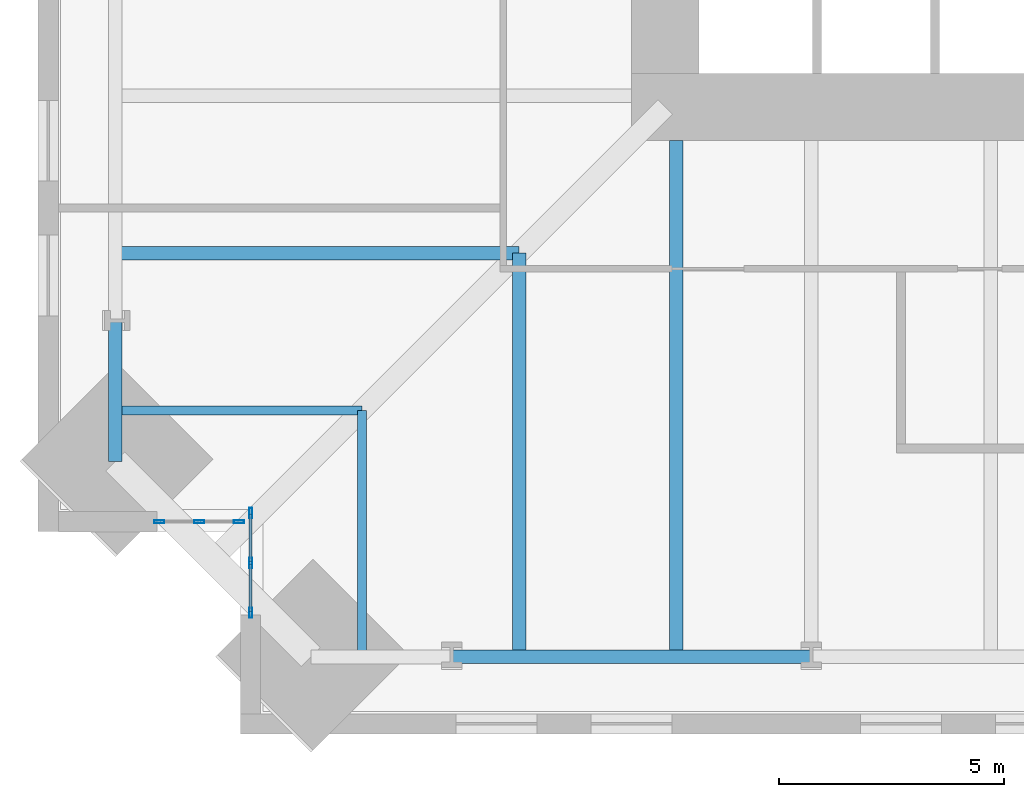
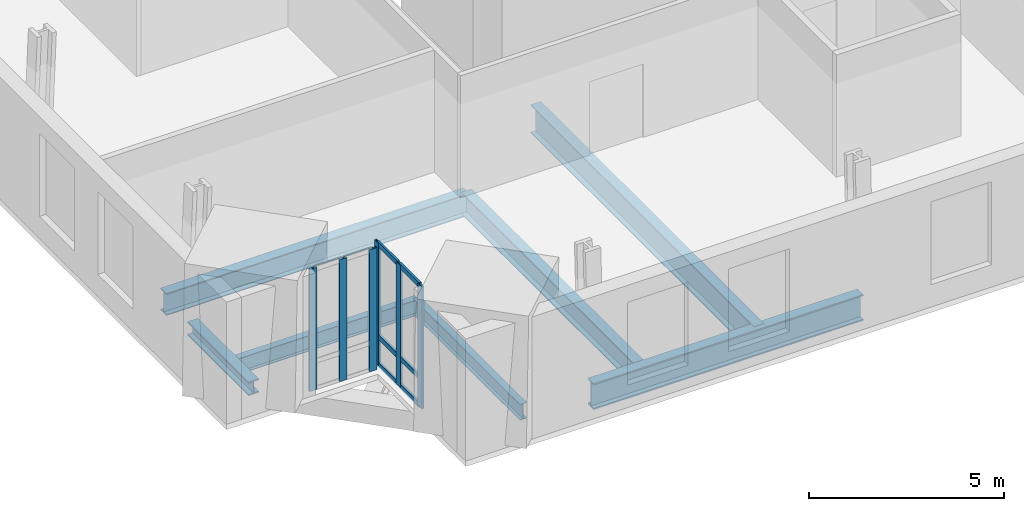
# One storey, part 2 of 15: 12 members, 7 beams, 2 elements without a shape of their own.
"""IFC4 building model written with IfcOpenShell, lengths in metres."""

from ifc_helpers import new_model, si_unit, direction, frame, origin, origin_2d, place, context, subcontext, project, spatial, hollow_rectangle, i_section, extrude, material, material_profile, profile_set, type_object, element, aggregate, save


model = new_model("IFC4")

# Units and contexts
model_context = context("Model", 3, precision=1e-05, world=origin(), true_north=direction((0.0, 1.0)))
body_context = subcontext(model_context, "Body", "Model", "MODEL_VIEW")
ifc_project = project(units=[si_unit("LENGTHUNIT", "METRE"), si_unit("AREAUNIT", "SQUARE_METRE"), si_unit("VOLUMEUNIT", "CUBIC_METRE"), si_unit("PLANEANGLEUNIT", "RADIAN"), si_unit("MASSUNIT", "GRAM", prefix="KILO")], contexts=[model_context])

# Site, building, storey
site_placement = place(None, origin())
site = spatial("IfcSite", under=ifc_project, at=site_placement, CompositionType="ELEMENT")
building_placement = place(site_placement, origin())
building = spatial("IfcBuilding", under=site, at=building_placement, Name="Peilmerk Tower", CompositionType="ELEMENT")
storey_placement = place(building_placement, frame((0.0, 0.0, 183.800048828125)))
storey = spatial("IfcBuildingStorey", under=building, at=storey_placement, Name="L39", CompositionType="ELEMENT", Elevation=183.800048828125)

# Beams
ifc_material_1 = material(Name="Steel S355", Category="steel")
ifc_material_profile_1 = material_profile(ifc_material_1, i_section(OverallWidth=0.302978515625, OverallDepth=0.81396484375, WebThickness=0.02099609375, FlangeThickness=0.0400390625, at=origin_2d()), Name="HEM 800")
ifc_profile_set_1 = profile_set([ifc_material_profile_1], Name="Steel S355")
beam_type_1 = type_object("IfcBeamType", Name="B15 HEM 800 edge beam", PredefinedType="SPANDREL", material=ifc_profile_set_1)
beam_1_placement = place(storey_placement, frame((-16.0, -23.485595703125, -0.5771484375), z_axis=(1.0, 0.0, 0.0), x_axis=(0.0, 1.0, 0.0)))
element("IfcBeam", 1, at=beam_1_placement, inside=storey, type_object=beam_type_1, Name="Edge beam L39", PredefinedType="SPANDREL", context=body_context, shape_type="SweptSolid", body=[
    extrude(i_section(OverallWidth=0.302978515625, OverallDepth=0.81396484375, WebThickness=0.02099609375, FlangeThickness=0.0400390625, at=origin_2d()), origin(), (0.0, 0.0, 1.0), 8.0),
])
ifc_material_profile_2 = material_profile(ifc_material_1, i_section(OverallWidth=0.300048828125, OverallDepth=0.68994140625, WebThickness=0.014404296875, FlangeThickness=0.027099609375, at=origin_2d()), Name="HEA 700")
ifc_profile_set_2 = profile_set([ifc_material_profile_2], Name="Steel S355")
beam_type_2 = type_object("IfcBeamType", Name="B16 HEA 700 floor beam", PredefinedType="BEAM", material=ifc_profile_set_2)
for number, where, z_axis, x_axis, name in (
    (2, (-14.5, -14.5, -0.51513671875), (0.0, -1.0, 0.0), (1.0, 0.0, 0.0), "Floor beam L39"),
    (3, (-14.5, -14.5, -0.51513671875), (-1.0, 0.0, 0.0), (0.0, -1.0, 0.0), "Floor beam L39"),
):
    element("IfcBeam", number, at=place(storey_placement, frame(where, z_axis=z_axis, x_axis=x_axis)), inside=storey, type_object=beam_type_2, Name=name, PredefinedType="BEAM", context=body_context, shape_type="SweptSolid", body=[
        extrude(i_section(OverallWidth=0.300048828125, OverallDepth=0.68994140625, WebThickness=0.014404296875, FlangeThickness=0.027099609375, at=origin_2d()), origin(), (0.0, 0.0, 1.0), 8.985595703125),
    ])
ifc_material_profile_3 = material_profile(ifc_material_1, i_section(OverallWidth=0.199951171875, OverallDepth=0.5, WebThickness=0.01025390625, FlangeThickness=0.01611328125, at=origin_2d()), Name="IPE 500")
ifc_profile_set_3 = profile_set([ifc_material_profile_3], Name="Steel S355")
beam_type_3 = type_object("IfcBeamType", Name="B32 IPE 500 floor beam", PredefinedType="BEAM", material=ifc_profile_set_3)
for number, where, z_axis, x_axis, name in (
    (4, (-18.0, -18.0, -0.420166015625), (0.0, -1.0, 0.0), (1.0, 0.0, 0.0), "Floor beam L39"),
    (5, (-18.0, -18.0, -0.420166015625), (-1.0, 0.0, 0.0), (0.0, -1.0, 0.0), "Floor beam L39"),
):
    element("IfcBeam", number, at=place(storey_placement, frame(where, z_axis=z_axis, x_axis=x_axis)), inside=storey, type_object=beam_type_3, Name=name, PredefinedType="BEAM", context=body_context, shape_type="SweptSolid", body=[
        extrude(i_section(OverallWidth=0.199951171875, OverallDepth=0.5, WebThickness=0.01025390625, FlangeThickness=0.01611328125, at=origin_2d()), origin(), (0.0, 0.0, 1.0), 5.485595703125),
    ])
ifc_material_profile_4 = material_profile(ifc_material_1, i_section(OverallWidth=0.306884765625, OverallDepth=0.431884765625, WebThickness=0.02099609375, FlangeThickness=0.0400390625, at=origin_2d()), Name="HEM 400")
ifc_profile_set_4 = profile_set([ifc_material_profile_4], Name="Steel S355")
beam_type_4 = type_object("IfcBeamType", Name="B34 HEM 400 edge beam", PredefinedType="SPANDREL", material=ifc_profile_set_4)
beam_2_placement = place(storey_placement, frame((-23.485595703125, -16.0, -0.385986328125), z_axis=(0.0, -1.0, 0.0), x_axis=(1.0, 0.0, 0.0)))
element("IfcBeam", 6, at=beam_2_placement, inside=storey, type_object=beam_type_4, Name="Edge beam L39", PredefinedType="SPANDREL", context=body_context, shape_type="SweptSolid", body=[
    extrude(i_section(OverallWidth=0.306884765625, OverallDepth=0.431884765625, WebThickness=0.02099609375, FlangeThickness=0.0400390625, at=origin_2d()), origin(), (0.0, 0.0, 1.0), 3.135498046875),
])
ifc_material_profile_5 = material_profile(ifc_material_1, i_section(OverallWidth=0.300048828125, OverallDepth=0.889892578125, WebThickness=0.01611328125, FlangeThickness=0.030029296875, at=origin_2d()), Name="HEA 900")
ifc_profile_set_5 = profile_set([ifc_material_profile_5], Name="Steel S355")
beam_type_5 = type_object("IfcBeamType", Name="B4 HEA 900 floor beam", PredefinedType="BEAM", material=ifc_profile_set_5)
beam_3_placement = place(storey_placement, frame((-11.0, -12.0, -0.614990234375), z_axis=(0.0, -1.0, 0.0), x_axis=(1.0, 0.0, 0.0)))
element("IfcBeam", 7, at=beam_3_placement, inside=storey, type_object=beam_type_5, Name="Floor beam L39", PredefinedType="BEAM", context=body_context, shape_type="SweptSolid", body=[
    extrude(i_section(OverallWidth=0.300048828125, OverallDepth=0.889892578125, WebThickness=0.01611328125, FlangeThickness=0.030029296875, at=origin_2d()), origin(), (0.0, 0.0, 1.0), 11.485595703125),
])

# Curtain wall, members
ifc_material_2 = material(Name="Aluminium stick curtain wall", Category="aluminium")
curtain_wall_type = type_object("IfcCurtainWallType", Name="CW3 stick curtain wall, 2250 module", PredefinedType="NOTDEFINED", material=ifc_material_2)
curtain_wall_1_placement = place(storey_placement, origin())
curtain_wall_1 = element("IfcCurtainWall", 8, at=curtain_wall_1_placement, inside=storey, type_object=curtain_wall_type, Name="Curtain wall CW3 SWA L39", PredefinedType="NOTDEFINED")
ifc_material_3 = material(Name="Aluminium EN AW-6063 T6", Category="aluminium")
ifc_material_profile_6 = material_profile(ifc_material_3, hollow_rectangle(XDim=0.06494140625, YDim=0.22509765625, WallThickness=0.00390625, at=origin_2d()), Name="AL 225x65x4")
ifc_profile_set_6 = profile_set([ifc_material_profile_6], Name="Aluminium EN AW-6063 T6")
member_type_1 = type_object("IfcMemberType", Name="CW3-M AL 225x65x4 mullion", PredefinedType="MULLION", material=ifc_profile_set_6)
member_1_placement = place(storey_placement, frame((-20.47509765625, -20.282470703125, 0.0), z_axis=(0.0, 0.0, 1.0), x_axis=(1.0, 0.0, 0.0)))
member_1 = element("IfcMember", 9, at=member_1_placement, type_object=member_type_1, Name="CW3 mullion 1", PredefinedType="MULLION", context=body_context, shape_type="SweptSolid", body=[
    extrude(hollow_rectangle(XDim=0.06494140625, YDim=0.22509765625, WallThickness=0.00390625, at=origin_2d()), origin(), (0.0, 0.0, 1.0), 3.829833984375),
])
member_2_placement = place(storey_placement, frame((-20.47509765625, -21.394287109375, 0.0), z_axis=(0.0, 0.0, 1.0), x_axis=(1.0, 0.0, 0.0)))
member_2 = element("IfcMember", 10, at=member_2_placement, type_object=member_type_1, Name="CW3 mullion 2", PredefinedType="MULLION", context=body_context, shape_type="SweptSolid", body=[
    extrude(hollow_rectangle(XDim=0.06494140625, YDim=0.22509765625, WallThickness=0.00390625, at=origin_2d()), origin(), (0.0, 0.0, 1.0), 3.829833984375),
])
member_3_placement = place(storey_placement, frame((-20.47509765625, -22.506103515625, 0.0), z_axis=(0.0, 0.0, 1.0), x_axis=(1.0, 0.0, 0.0)))
member_3 = element("IfcMember", 11, at=member_3_placement, type_object=member_type_1, Name="CW3 mullion 3", PredefinedType="MULLION", context=body_context, shape_type="SweptSolid", body=[
    extrude(hollow_rectangle(XDim=0.06494140625, YDim=0.22509765625, WallThickness=0.00390625, at=origin_2d()), origin(), (0.0, 0.0, 1.0), 3.829833984375),
])

curtain_wall_2_placement = place(storey_placement, origin())
curtain_wall_2 = element("IfcCurtainWall", 12, at=curtain_wall_2_placement, inside=storey, type_object=curtain_wall_type, Name="Curtain wall CW3 SWB L39", PredefinedType="NOTDEFINED")
member_4_placement = place(storey_placement, frame((-20.732421875, -20.47509765625, 0.0), z_axis=(0.0, 0.0, 1.0), x_axis=(0.0, -1.0, 0.0)))
member_4 = element("IfcMember", 13, at=member_4_placement, type_object=member_type_1, Name="CW3 mullion 1", PredefinedType="MULLION", context=body_context, shape_type="SweptSolid", body=[
    extrude(hollow_rectangle(XDim=0.06494140625, YDim=0.22509765625, WallThickness=0.00390625, at=origin_2d()), origin(), (0.0, 0.0, 1.0), 3.829833984375),
])
member_5_placement = place(storey_placement, frame((-21.619384765625, -20.47509765625, 0.0), z_axis=(0.0, 0.0, 1.0), x_axis=(0.0, -1.0, 0.0)))
member_5 = element("IfcMember", 14, at=member_5_placement, type_object=member_type_1, Name="CW3 mullion 2", PredefinedType="MULLION", context=body_context, shape_type="SweptSolid", body=[
    extrude(hollow_rectangle(XDim=0.06494140625, YDim=0.22509765625, WallThickness=0.00390625, at=origin_2d()), origin(), (0.0, 0.0, 1.0), 3.829833984375),
])
member_6_placement = place(storey_placement, frame((-22.506103515625, -20.47509765625, 0.0), z_axis=(0.0, 0.0, 1.0), x_axis=(0.0, -1.0, 0.0)))
member_6 = element("IfcMember", 15, at=member_6_placement, type_object=member_type_1, Name="CW3 mullion 3", PredefinedType="MULLION", context=body_context, shape_type="SweptSolid", body=[
    extrude(hollow_rectangle(XDim=0.06494140625, YDim=0.22509765625, WallThickness=0.00390625, at=origin_2d()), origin(), (0.0, 0.0, 1.0), 3.829833984375),
])
aggregate(curtain_wall_2, [member_4, member_5, member_6])

# Member
ifc_material_profile_7 = material_profile(ifc_material_3, hollow_rectangle(XDim=0.06494140625, YDim=0.14990234375, WallThickness=0.0029296875, at=origin_2d()), Name="AL 150x65x3")
ifc_profile_set_7 = profile_set([ifc_material_profile_7], Name="Aluminium EN AW-6063 T6")
member_type_2 = type_object("IfcMemberType", Name="CW3-T AL 150x65x3 transom", PredefinedType="USERDEFINED", material=ifc_profile_set_7)
member_7_placement = place(storey_placement, frame((-20.47509765625, -20.31494140625, 0.032470703125), z_axis=(0.0, -1.0, 0.0), x_axis=(1.0, 0.0, 0.0)))
member_7 = element("IfcMember", 16, at=member_7_placement, type_object=member_type_2, Name="CW3 transom 1.1", ObjectType="TRANSOM", PredefinedType="USERDEFINED", context=body_context, shape_type="SweptSolid", body=[
    extrude(hollow_rectangle(XDim=0.06494140625, YDim=0.14990234375, WallThickness=0.0029296875, at=origin_2d()), origin(), (0.0, 0.0, 1.0), 1.046875),
])

member_8_placement = place(storey_placement, frame((-20.47509765625, -20.31494140625, 0.89990234375), z_axis=(0.0, -1.0, 0.0), x_axis=(1.0, 0.0, 0.0)))
member_8 = element("IfcMember", 17, at=member_8_placement, type_object=member_type_2, Name="CW3 transom 1.2", ObjectType="TRANSOM", PredefinedType="USERDEFINED", context=body_context, shape_type="SweptSolid", body=[
    extrude(hollow_rectangle(XDim=0.06494140625, YDim=0.14990234375, WallThickness=0.0029296875, at=origin_2d()), origin(), (0.0, 0.0, 1.0), 1.046875),
])

member_9_placement = place(storey_placement, frame((-20.47509765625, -20.31494140625, 3.79736328125), z_axis=(0.0, -1.0, 0.0), x_axis=(1.0, 0.0, 0.0)))
member_9 = element("IfcMember", 18, at=member_9_placement, type_object=member_type_2, Name="CW3 transom 1.3", ObjectType="TRANSOM", PredefinedType="USERDEFINED", context=body_context, shape_type="SweptSolid", body=[
    extrude(hollow_rectangle(XDim=0.06494140625, YDim=0.14990234375, WallThickness=0.0029296875, at=origin_2d()), origin(), (0.0, 0.0, 1.0), 1.046875),
])

member_10_placement = place(storey_placement, frame((-20.47509765625, -21.4267578125, 0.032470703125), z_axis=(0.0, -1.0, 0.0), x_axis=(1.0, 0.0, 0.0)))
member_10 = element("IfcMember", 19, at=member_10_placement, type_object=member_type_2, Name="CW3 transom 2.1", ObjectType="TRANSOM", PredefinedType="USERDEFINED", context=body_context, shape_type="SweptSolid", body=[
    extrude(hollow_rectangle(XDim=0.06494140625, YDim=0.14990234375, WallThickness=0.0029296875, at=origin_2d()), origin(), (0.0, 0.0, 1.0), 1.046875),
])

member_11_placement = place(storey_placement, frame((-20.47509765625, -21.4267578125, 0.89990234375), z_axis=(0.0, -1.0, 0.0), x_axis=(1.0, 0.0, 0.0)))
member_11 = element("IfcMember", 20, at=member_11_placement, type_object=member_type_2, Name="CW3 transom 2.2", ObjectType="TRANSOM", PredefinedType="USERDEFINED", context=body_context, shape_type="SweptSolid", body=[
    extrude(hollow_rectangle(XDim=0.06494140625, YDim=0.14990234375, WallThickness=0.0029296875, at=origin_2d()), origin(), (0.0, 0.0, 1.0), 1.046875),
])

member_12_placement = place(storey_placement, frame((-20.47509765625, -21.4267578125, 3.79736328125), z_axis=(0.0, -1.0, 0.0), x_axis=(1.0, 0.0, 0.0)))
member_12 = element("IfcMember", 21, at=member_12_placement, type_object=member_type_2, Name="CW3 transom 2.3", ObjectType="TRANSOM", PredefinedType="USERDEFINED", context=body_context, shape_type="SweptSolid", body=[
    extrude(hollow_rectangle(XDim=0.06494140625, YDim=0.14990234375, WallThickness=0.0029296875, at=origin_2d()), origin(), (0.0, 0.0, 1.0), 1.046875),
])

aggregate(curtain_wall_1, [member_1, member_2, member_3, member_7, member_8, member_9, member_10, member_11, member_12])

save(model, "model.ifc")
